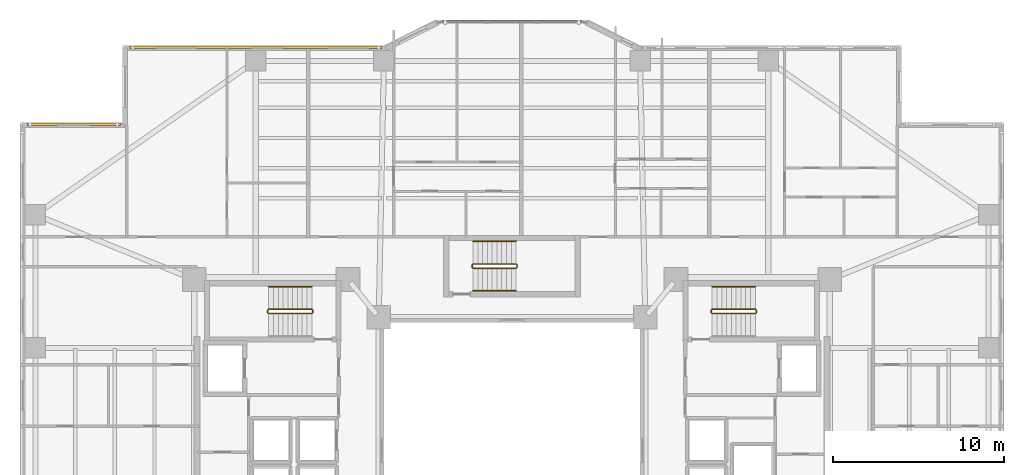
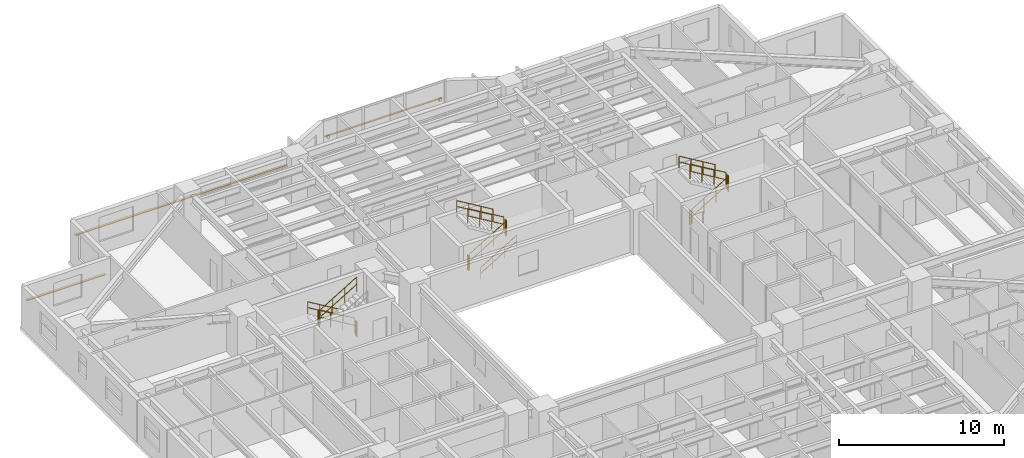
# One storey, part 21 of 22: 16 railings, 3 shading devices.
"""IFC4 building model written with IfcOpenShell, lengths in metres."""

import ifcopenshell
import ifcopenshell.guid

model = None  # the IFC model being written
_history = None  # IfcOwnerHistory: only IFC2X3 demands one
_inside = {}  # id of a spatial element -> (the spatial element, [elements in it])
_under = {}  # id of a project, library or spatial element -> (it, [spatial elements below it])
_declared = {}  # id of a project -> (the project, [libraries it declares])
_typed = {}  # id of a type object -> (the type object, [elements of that type])
_made_of = {}  # id of a material, layer set ... -> (it, [elements and type objects made of it])


def new_model(schema):
    """Start an empty IFC model of exactly this schema.

    Asked for "IFC4X3", IfcOpenShell would pick the latest addendum, in which some entities
    have other attributes; the version numbers below select the first issue.
    IFC2X3 requires an IfcOwnerHistory on every rooted entity: one is made here for all.
    """
    global model, _history
    if schema == "IFC4X3":
        model = ifcopenshell.file(schema_version=(4, 3, 0, 0))
    else:
        model = ifcopenshell.file(schema=schema)
    _inside.clear()
    _under.clear()
    _declared.clear()
    _typed.clear()
    _made_of.clear()
    _history = None
    if model.schema == "IFC2X3":
        org = make("IfcOrganization", Name="unknown")
        user = make(
            "IfcPersonAndOrganization",
            ThePerson=make("IfcPerson", FamilyName="unknown"),
            TheOrganization=org,
        )
        app = make(
            "IfcApplication",
            ApplicationDeveloper=org,
            Version="unknown",
            ApplicationFullName="unknown",
            ApplicationIdentifier="unknown",
        )
        _history = make(
            "IfcOwnerHistory",
            OwningUser=user,
            OwningApplication=app,
            ChangeAction="ADDED",
            CreationDate=0,
        )
    return model


def make(cls, **values):
    """One entity of the class cls with the attributes given. An attribute that is None is left unset."""
    return model.create_entity(
        cls, **{name: value for name, value in values.items() if value is not None}
    )


def rooted(cls, **values):
    """An entity with a GlobalId (a new one), such as an element, a storey or a relation."""
    return make(cls, GlobalId=ifcopenshell.guid.new(), OwnerHistory=_history, **values)


def si_unit(unit_type, name, prefix=None):
    """IfcSIUnit, for example si_unit("LENGTHUNIT", "METRE", prefix="MILLI")."""
    return make("IfcSIUnit", UnitType=unit_type, Prefix=prefix, Name=name)


def assignment(units):
    """IfcUnitAssignment: the units of a project."""
    return None if units is None else make("IfcUnitAssignment", Units=units)


def point(xyz):
    """IfcCartesianPoint."""
    return None if xyz is None else make("IfcCartesianPoint", Coordinates=xyz)


def direction(xyz):
    """IfcDirection."""
    return None if xyz is None else make("IfcDirection", DirectionRatios=xyz)


def frame(location, z_axis=None, x_axis=None):
    """IfcAxis2Placement3D, a coordinate frame: its origin and axes. An axis left out is left unset."""
    return make(
        "IfcAxis2Placement3D",
        Location=point(location),
        Axis=direction(z_axis),
        RefDirection=direction(x_axis),
    )


def frame_2d(location, x_axis=None):
    """IfcAxis2Placement2D, a coordinate frame in the plane: its origin and x axis."""
    return make(
        "IfcAxis2Placement2D", Location=point(location), RefDirection=direction(x_axis)
    )


def origin():
    """The frame at (0, 0, 0) with its axes left unset."""
    return frame((0.0, 0.0, 0.0))


def origin_2d():
    """The frame at (0, 0) in the plane with its x axis left unset."""
    return frame_2d((0.0, 0.0))


def place(relative_to, where):
    """IfcLocalPlacement: puts the frame where relative to a parent placement (None: the world)."""
    return make(
        "IfcLocalPlacement", PlacementRelTo=relative_to, RelativePlacement=where
    )


def context(
    kind, dimensions, precision=None, world=None, true_north=None, identifier=None
):
    """IfcGeometricRepresentationContext, for example the 3D "Model" context."""
    return make(
        "IfcGeometricRepresentationContext",
        ContextIdentifier=identifier,
        ContextType=kind,
        CoordinateSpaceDimension=dimensions,
        Precision=precision,
        WorldCoordinateSystem=world,
        TrueNorth=true_north,
    )


def subcontext(parent, identifier, kind, view, scale=None):
    """IfcGeometricRepresentationSubContext, for example "Body" below "Model"."""
    return make(
        "IfcGeometricRepresentationSubContext",
        ContextIdentifier=identifier,
        ContextType=kind,
        ParentContext=parent,
        TargetScale=scale,
        TargetView=view,
    )


def project(units=None, contexts=None):
    """IfcProject with its units and contexts."""
    return rooted(
        "IfcProject",
        Name="project",
        RepresentationContexts=contexts,
        UnitsInContext=assignment(units),
    )


def spatial(cls, under=None, at=None, **own):
    """A site, building, storey or space (cls), placed at a placement, below another one or the project."""
    s = rooted(cls, ObjectPlacement=at, **own)
    if under is not None:
        _under.setdefault(under.id(), (under, []))[1].append(s)
    return s


def profile(cls, at=None, kind="AREA", **sizes):
    """A parametric profile (cls). Its sizes go by their IFC names, for example OverallWidth=200.0."""
    return make(cls, ProfileType=kind, Position=at, **sizes)


def rectangle(**sizes):
    """IfcRectangleProfileDef."""
    return profile("IfcRectangleProfileDef", **sizes)


def circle(**sizes):
    """IfcCircleProfileDef."""
    return profile("IfcCircleProfileDef", **sizes)


def extrude(swept, where, along, depth):
    """IfcExtrudedAreaSolid: the profile swept, set in the frame where, extruded along a direction by depth."""
    return make(
        "IfcExtrudedAreaSolid",
        SweptArea=swept,
        Position=where,
        ExtrudedDirection=direction(along),
        Depth=depth,
    )


def shape(context_of_items, identifier, shape_type, items):
    """IfcShapeRepresentation: the items that make up one representation, for example the "Body"."""
    return make(
        "IfcShapeRepresentation",
        ContextOfItems=context_of_items,
        RepresentationIdentifier=identifier,
        RepresentationType=shape_type,
        Items=items,
    )


def material(Name=None, Category=None):
    """IfcMaterial."""
    return make("IfcMaterial", Name=Name, Category=Category)


def material_profile(
    of_material, cross_section, Name=None, Category=None, Priority=None
):
    """IfcMaterialProfile: a cross section and its material."""
    return make(
        "IfcMaterialProfile",
        Name=Name,
        Material=of_material,
        Profile=cross_section,
        Priority=Priority,
        Category=Category,
    )


def profile_set(profiles, Name=None, composite=None):
    """IfcMaterialProfileSet."""
    return make(
        "IfcMaterialProfileSet",
        Name=Name,
        MaterialProfiles=profiles,
        CompositeProfile=composite,
    )


def made_of(thing, what):
    """Note that an element or type object is made of a material, layer set ...; save() writes the relation."""
    if what is not None:
        _made_of.setdefault(what.id(), (what, []))[1].append(thing)
    return thing


def type_object(cls, material=None, **own):
    """A type object (cls), such as IfcWallType, which elements share."""
    return made_of(rooted(cls, **own), material)


def element(
    cls,
    number,
    at=None,
    inside=None,
    cuts=None,
    type_object=None,
    material=None,
    context=None,
    identifier="Body",
    shape_type=None,
    held_by="IfcProductDefinitionShape",
    body=None,
    shapes=None,
    **own,
):
    """One element of the class cls, such as IfcWall. Its Tag is "e" and its number.

    at: its placement. inside: the storey or other place that contains it. cuts: it is an
    opening in that element (IfcRelVoidsElement). A single representation is given by context,
    identifier, shape_type and body (its items); several are given by shapes. held_by: the class
    of the entity that holds the representations. save() writes the other relations.
    """
    e = rooted(cls, Tag="e%d" % number, ObjectPlacement=at, **own)
    if body is not None:
        shapes = [shape(context, identifier, shape_type, body)]
    if shapes is not None:
        e.Representation = make(held_by, Representations=shapes)
    if inside is not None:
        _inside.setdefault(inside.id(), (inside, []))[1].append(e)
    if cuts is not None:
        rooted(
            "IfcRelVoidsElement", RelatingBuildingElement=cuts, RelatedOpeningElement=e
        )
    if type_object is not None:
        _typed.setdefault(type_object.id(), (type_object, []))[1].append(e)
    return made_of(e, material)


def aggregate(whole, parts):
    """IfcRelAggregates: a whole, such as a stair, and the parts it consists of."""
    return rooted("IfcRelAggregates", RelatingObject=whole, RelatedObjects=parts)


def save(model, path):
    """Write the relations noted so far, then the file.

    IfcRelAggregates (storeys below a building ...), IfcRelContainedInSpatialStructure (elements
    in a storey), IfcRelDefinesByType, IfcRelAssociatesMaterial and IfcRelDeclares: one each for
    every whole, place, type object, material and project.
    """
    for whole, parts in _under.values():
        aggregate(whole, parts)
    for where, things in _inside.values():
        rooted(
            "IfcRelContainedInSpatialStructure",
            RelatedElements=things,
            RelatingStructure=where,
        )
    for kind, things in _typed.values():
        rooted("IfcRelDefinesByType", RelatedObjects=things, RelatingType=kind)
    for what, things in _made_of.values():
        rooted("IfcRelAssociatesMaterial", RelatedObjects=things, RelatingMaterial=what)
    for by, libraries in _declared.values():
        rooted("IfcRelDeclares", RelatingContext=by, RelatedDefinitions=libraries)
    model.write(path)


model = new_model("IFC4")

# Units and contexts
model_context = context("Model", 3, precision=1e-05, world=origin(), true_north=direction((0.0, 1.0)))
body_context = subcontext(model_context, "Body", "Model", "MODEL_VIEW")
ifc_project = project(units=[si_unit("LENGTHUNIT", "METRE"), si_unit("AREAUNIT", "SQUARE_METRE"), si_unit("VOLUMEUNIT", "CUBIC_METRE"), si_unit("PLANEANGLEUNIT", "RADIAN"), si_unit("MASSUNIT", "GRAM", prefix="KILO")], contexts=[model_context])

# Site, building, storey
site_placement = place(None, origin())
site = spatial("IfcSite", under=ifc_project, at=site_placement, CompositionType="ELEMENT")
building_placement = place(site_placement, origin())
building = spatial("IfcBuilding", under=site, at=building_placement, Name="Tarnavaz Court Tower", CompositionType="ELEMENT")
storey_placement = place(building_placement, frame((0.0, 0.0, 27.35009765625)))
storey = spatial("IfcBuildingStorey", under=building, at=storey_placement, Name="L06", CompositionType="ELEMENT", Elevation=27.35009765625)

# Railings
ifc_material_1 = material(Name="Brushed Stainless Steel", Category="steel")
railing_type_1 = type_object("IfcRailingType", Name="RL-HANDRAIL-900", PredefinedType="HANDRAIL", material=ifc_material_1)
railing_1_placement = place(storey_placement, frame((-11.719970703125, 9.590087890625, 0.16748046875)))
element("IfcRailing", 1, at=railing_1_placement, inside=storey, type_object=railing_type_1, Name="L06 ST-W1 stair handrail 1", PredefinedType="HANDRAIL", context=body_context, shape_type="SweptSolid", body=[
    extrude(circle(Radius=0.02392578125, at=origin_2d()), frame((0.0, 0.0, 0.8759765625), z_axis=(-0.858196387827, 0.0, 0.513321497621), x_axis=(0.0, -1.0, 0.0)), (0.0, 0.0, 1.0), 2.9365234375),
    extrude(circle(Radius=0.02392578125, at=origin_2d()), frame((0.0, 0.0, 0.449951171875), z_axis=(-0.858196387827, 0.0, 0.513321497621), x_axis=(0.0, -1.0, 0.0)), (0.0, 0.0, 1.0), 2.9365234375),
    extrude(circle(Radius=0.02099609375, at=origin_2d()), origin(), (0.0, 0.0, 1.0), 0.851806640625),
    extrude(circle(Radius=0.02099609375, at=origin_2d()), frame((-0.840087890625, 0.0, 0.50244140625)), (0.0, 0.0, 1.0), 0.851806640625),
    extrude(circle(Radius=0.02099609375, at=origin_2d()), frame((-1.679931640625, 0.0, 1.0048828125)), (0.0, 0.0, 1.0), 0.851806640625),
    extrude(circle(Radius=0.02099609375, at=origin_2d()), frame((-2.52001953125, 0.0, 1.50732421875)), (0.0, 0.0, 1.0), 0.851806640625),
])
railing_2_placement = place(storey_placement, frame((14.239990234375, 9.590087890625, 1.84228515625)))
element("IfcRailing", 2, at=railing_2_placement, inside=storey, type_object=railing_type_1, Name="L06 ST-E1 stair handrail 2", PredefinedType="HANDRAIL", context=body_context, shape_type="SweptSolid", body=[
    extrude(circle(Radius=0.02392578125, at=origin_2d()), frame((0.0, 0.0, 0.8759765625), z_axis=(-0.858159760407, 0.0, 0.513382728203), x_axis=(0.0, -1.0, 0.0)), (0.0, 0.0, 1.0), 2.9365234375),
    extrude(circle(Radius=0.02392578125, at=origin_2d()), frame((0.0, 0.0, 0.449951171875), z_axis=(-0.858159760407, 0.0, 0.513382728203), x_axis=(0.0, -1.0, 0.0)), (0.0, 0.0, 1.0), 2.9365234375),
    extrude(circle(Radius=0.02099609375, at=origin_2d()), origin(), (0.0, 0.0, 1.0), 0.851806640625),
    extrude(circle(Radius=0.02099609375, at=origin_2d()), frame((-0.840087890625, 0.0, 0.50244140625)), (0.0, 0.0, 1.0), 0.851806640625),
    extrude(circle(Radius=0.02099609375, at=origin_2d()), frame((-1.679931640625, 0.0, 1.005126953125)), (0.0, 0.0, 1.0), 0.851806640625),
    extrude(circle(Radius=0.02099609375, at=origin_2d()), frame((-2.52001953125, 0.0, 1.507568359375)), (0.0, 0.0, 1.0), 0.851806640625),
])
railing_3_placement = place(storey_placement, frame((-2.280029296875, 9.35009765625, 0.16748046875)))
element("IfcRailing", 3, at=railing_3_placement, inside=storey, type_object=railing_type_1, Name="L06 ST-N1 stair handrail 1", PredefinedType="HANDRAIL", context=body_context, shape_type="SweptSolid", body=[
    extrude(circle(Radius=0.02392578125, at=origin_2d()), frame((0.0, 0.0, 0.8759765625), z_axis=(0.858196387827, 0.0, 0.513321497621), x_axis=(0.0, 1.0, 0.0)), (0.0, 0.0, 1.0), 2.9365234375),
    extrude(circle(Radius=0.02392578125, at=origin_2d()), frame((0.0, 0.0, 0.449951171875), z_axis=(0.858196387827, 0.0, 0.513321497621), x_axis=(0.0, 1.0, 0.0)), (0.0, 0.0, 1.0), 2.9365234375),
    extrude(circle(Radius=0.02099609375, at=origin_2d()), origin(), (0.0, 0.0, 1.0), 0.851806640625),
    extrude(circle(Radius=0.02099609375, at=origin_2d()), frame((0.840087890625, 0.0, 0.50244140625)), (0.0, 0.0, 1.0), 0.851806640625),
    extrude(circle(Radius=0.02099609375, at=origin_2d()), frame((1.679931640625, 0.0, 1.0048828125)), (0.0, 0.0, 1.0), 0.851806640625),
    extrude(circle(Radius=0.02099609375, at=origin_2d()), frame((2.52001953125, 0.0, 1.50732421875)), (0.0, 0.0, 1.0), 0.851806640625),
])
railing_4_placement = place(storey_placement, frame((0.239990234375, 12.239990234375, 1.84228515625)))
element("IfcRailing", 4, at=railing_4_placement, inside=storey, type_object=railing_type_1, Name="L06 ST-N1 stair handrail 2", PredefinedType="HANDRAIL", context=body_context, shape_type="SweptSolid", body=[
    extrude(circle(Radius=0.02392578125, at=origin_2d()), frame((0.0, 0.0, 0.8759765625), z_axis=(-0.858159760407, 0.0, 0.513382728203), x_axis=(0.0, -1.0, 0.0)), (0.0, 0.0, 1.0), 2.9365234375),
    extrude(circle(Radius=0.02392578125, at=origin_2d()), frame((0.0, 0.0, 0.449951171875), z_axis=(-0.858159760407, 0.0, 0.513382728203), x_axis=(0.0, -1.0, 0.0)), (0.0, 0.0, 1.0), 2.9365234375),
    extrude(circle(Radius=0.02099609375, at=origin_2d()), origin(), (0.0, 0.0, 1.0), 0.851806640625),
    extrude(circle(Radius=0.02099609375, at=origin_2d()), frame((-0.840087890625, 0.0, 0.50244140625)), (0.0, 0.0, 1.0), 0.851806640625),
    extrude(circle(Radius=0.02099609375, at=origin_2d()), frame((-1.679931640625, 0.0, 1.005126953125)), (0.0, 0.0, 1.0), 0.851806640625),
    extrude(circle(Radius=0.02099609375, at=origin_2d()), frame((-2.52001953125, 0.0, 1.507568359375)), (0.0, 0.0, 1.0), 0.851806640625),
])
ifc_material_2 = material(Name="Galvanized Painted Tubular Steel", Category="steel")
railing_type_2 = type_object("IfcRailingType", Name="RL-STGUARD-1120", PredefinedType="GUARDRAIL", material=ifc_material_2)
railing_5_placement = place(storey_placement, frame((-11.719970703125, 8.27001953125, 0.16748046875)))
element("IfcRailing", 5, at=railing_5_placement, inside=storey, type_object=railing_type_2, Name="L06 ST-W1 stair guard 1", PredefinedType="GUARDRAIL", context=body_context, shape_type="SweptSolid", body=[
    extrude(circle(Radius=0.02392578125, at=origin_2d()), frame((0.0, 0.0, 1.09619140625), z_axis=(-0.858196387827, 0.0, 0.513321497621), x_axis=(0.0, -1.0, 0.0)), (0.0, 0.0, 1.0), 2.9365234375),
    extrude(circle(Radius=0.02392578125, at=origin_2d()), frame((0.0, 0.0, 0.56005859375), z_axis=(-0.858196387827, 0.0, 0.513321497621), x_axis=(0.0, -1.0, 0.0)), (0.0, 0.0, 1.0), 2.9365234375),
    extrude(circle(Radius=0.02099609375, at=origin_2d()), origin(), (0.0, 0.0, 1.0), 1.072021484375),
    extrude(circle(Radius=0.02099609375, at=origin_2d()), frame((-0.840087890625, 0.0, 0.50244140625)), (0.0, 0.0, 1.0), 1.072021484375),
    extrude(circle(Radius=0.02099609375, at=origin_2d()), frame((-1.679931640625, 0.0, 1.0048828125)), (0.0, 0.0, 1.0), 1.072021484375),
    extrude(circle(Radius=0.02099609375, at=origin_2d()), frame((-2.52001953125, 0.0, 1.50732421875)), (0.0, 0.0, 1.0), 1.072021484375),
])
railing_6_placement = place(storey_placement, frame((-14.2900390625, 8.219970703125, 1.6748046875)))
element("IfcRailing", 6, at=railing_6_placement, inside=storey, type_object=railing_type_2, Name="L06 ST-W1 stair guard 2", PredefinedType="GUARDRAIL", context=body_context, shape_type="SweptSolid", body=[
    extrude(circle(Radius=0.02392578125, at=origin_2d()), frame((0.0, 0.0, 1.09619140625), z_axis=(0.0, -1.0, 0.0), x_axis=(1.0, 0.0, 0.0)), (0.0, 0.0, 1.0), 0.14990234375),
    extrude(circle(Radius=0.02392578125, at=origin_2d()), frame((0.0, 0.0, 0.56005859375), z_axis=(0.0, -1.0, 0.0), x_axis=(1.0, 0.0, 0.0)), (0.0, 0.0, 1.0), 0.14990234375),
    extrude(circle(Radius=0.02099609375, at=origin_2d()), origin(), (0.0, 0.0, 1.0), 1.072021484375),
    extrude(circle(Radius=0.02099609375, at=origin_2d()), frame((0.0, -0.14990234375, 0.0)), (0.0, 0.0, 1.0), 1.072021484375),
])
railing_7_placement = place(storey_placement, frame((-14.239990234375, 8.02001953125, 1.84228515625)))
element("IfcRailing", 7, at=railing_7_placement, inside=storey, type_object=railing_type_2, Name="L06 ST-W1 stair guard 3", PredefinedType="GUARDRAIL", context=body_context, shape_type="SweptSolid", body=[
    extrude(circle(Radius=0.02392578125, at=origin_2d()), frame((0.0, 0.0, 1.09619140625), z_axis=(0.858159760407, 0.0, 0.513382728203), x_axis=(0.0, 1.0, 0.0)), (0.0, 0.0, 1.0), 2.9365234375),
    extrude(circle(Radius=0.02392578125, at=origin_2d()), frame((0.0, 0.0, 0.56005859375), z_axis=(0.858159760407, 0.0, 0.513382728203), x_axis=(0.0, 1.0, 0.0)), (0.0, 0.0, 1.0), 2.9365234375),
    extrude(circle(Radius=0.02099609375, at=origin_2d()), origin(), (0.0, 0.0, 1.0), 1.072021484375),
    extrude(circle(Radius=0.02099609375, at=origin_2d()), frame((0.840087890625, 0.0, 0.50244140625)), (0.0, 0.0, 1.0), 1.072021484375),
    extrude(circle(Radius=0.02099609375, at=origin_2d()), frame((1.679931640625, 0.0, 1.005126953125)), (0.0, 0.0, 1.0), 1.072021484375),
    extrude(circle(Radius=0.02099609375, at=origin_2d()), frame((2.52001953125, 0.0, 1.507568359375)), (0.0, 0.0, 1.0), 1.072021484375),
])
railing_8_placement = place(storey_placement, frame((-11.669921875, 8.219970703125, 0.0)))
element("IfcRailing", 8, at=railing_8_placement, inside=storey, type_object=railing_type_2, Name="L06 ST-W1 stair guard 4", PredefinedType="GUARDRAIL", context=body_context, shape_type="SweptSolid", body=[
    extrude(circle(Radius=0.02392578125, at=origin_2d()), frame((0.0, 0.0, 1.09619140625), z_axis=(0.0, -1.0, 0.0), x_axis=(1.0, 0.0, 0.0)), (0.0, 0.0, 1.0), 0.14990234375),
    extrude(circle(Radius=0.02392578125, at=origin_2d()), frame((0.0, 0.0, 0.56005859375), z_axis=(0.0, -1.0, 0.0), x_axis=(1.0, 0.0, 0.0)), (0.0, 0.0, 1.0), 0.14990234375),
    extrude(circle(Radius=0.02099609375, at=origin_2d()), origin(), (0.0, 0.0, 1.0), 1.072021484375),
    extrude(circle(Radius=0.02099609375, at=origin_2d()), frame((0.0, -0.14990234375, 0.0)), (0.0, 0.0, 1.0), 1.072021484375),
])
railing_9_placement = place(storey_placement, frame((11.719970703125, 8.02001953125, 0.16748046875)))
element("IfcRailing", 9, at=railing_9_placement, inside=storey, type_object=railing_type_2, Name="L06 ST-E1 stair guard 1", PredefinedType="GUARDRAIL", context=body_context, shape_type="SweptSolid", body=[
    extrude(circle(Radius=0.02392578125, at=origin_2d()), frame((0.0, 0.0, 1.09619140625), z_axis=(0.858196387827, 0.0, 0.513321497621), x_axis=(0.0, 1.0, 0.0)), (0.0, 0.0, 1.0), 2.9365234375),
    extrude(circle(Radius=0.02392578125, at=origin_2d()), frame((0.0, 0.0, 0.56005859375), z_axis=(0.858196387827, 0.0, 0.513321497621), x_axis=(0.0, 1.0, 0.0)), (0.0, 0.0, 1.0), 2.9365234375),
    extrude(circle(Radius=0.02099609375, at=origin_2d()), origin(), (0.0, 0.0, 1.0), 1.072021484375),
    extrude(circle(Radius=0.02099609375, at=origin_2d()), frame((0.840087890625, 0.0, 0.50244140625)), (0.0, 0.0, 1.0), 1.072021484375),
    extrude(circle(Radius=0.02099609375, at=origin_2d()), frame((1.679931640625, 0.0, 1.0048828125)), (0.0, 0.0, 1.0), 1.072021484375),
    extrude(circle(Radius=0.02099609375, at=origin_2d()), frame((2.52001953125, 0.0, 1.50732421875)), (0.0, 0.0, 1.0), 1.072021484375),
])
railing_10_placement = place(storey_placement, frame((14.2900390625, 8.070068359375, 1.6748046875)))
element("IfcRailing", 10, at=railing_10_placement, inside=storey, type_object=railing_type_2, Name="L06 ST-E1 stair guard 2", PredefinedType="GUARDRAIL", context=body_context, shape_type="SweptSolid", body=[
    extrude(circle(Radius=0.02392578125, at=origin_2d()), frame((0.0, 0.0, 1.09619140625), z_axis=(0.0, 1.0, 0.0), x_axis=(-1.0, 0.0, 0.0)), (0.0, 0.0, 1.0), 0.14990234375),
    extrude(circle(Radius=0.02392578125, at=origin_2d()), frame((0.0, 0.0, 0.56005859375), z_axis=(0.0, 1.0, 0.0), x_axis=(-1.0, 0.0, 0.0)), (0.0, 0.0, 1.0), 0.14990234375),
    extrude(circle(Radius=0.02099609375, at=origin_2d()), origin(), (0.0, 0.0, 1.0), 1.072021484375),
    extrude(circle(Radius=0.02099609375, at=origin_2d()), frame((0.0, 0.14990234375, 0.0)), (0.0, 0.0, 1.0), 1.072021484375),
])
railing_11_placement = place(storey_placement, frame((14.239990234375, 8.27001953125, 1.84228515625)))
element("IfcRailing", 11, at=railing_11_placement, inside=storey, type_object=railing_type_2, Name="L06 ST-E1 stair guard 3", PredefinedType="GUARDRAIL", context=body_context, shape_type="SweptSolid", body=[
    extrude(circle(Radius=0.02392578125, at=origin_2d()), frame((0.0, 0.0, 1.09619140625), z_axis=(-0.858159760407, 0.0, 0.513382728203), x_axis=(0.0, -1.0, 0.0)), (0.0, 0.0, 1.0), 2.9365234375),
    extrude(circle(Radius=0.02392578125, at=origin_2d()), frame((0.0, 0.0, 0.56005859375), z_axis=(-0.858159760407, 0.0, 0.513382728203), x_axis=(0.0, -1.0, 0.0)), (0.0, 0.0, 1.0), 2.9365234375),
    extrude(circle(Radius=0.02099609375, at=origin_2d()), origin(), (0.0, 0.0, 1.0), 1.072021484375),
    extrude(circle(Radius=0.02099609375, at=origin_2d()), frame((-0.840087890625, 0.0, 0.50244140625)), (0.0, 0.0, 1.0), 1.072021484375),
    extrude(circle(Radius=0.02099609375, at=origin_2d()), frame((-1.679931640625, 0.0, 1.005126953125)), (0.0, 0.0, 1.0), 1.072021484375),
    extrude(circle(Radius=0.02099609375, at=origin_2d()), frame((-2.52001953125, 0.0, 1.507568359375)), (0.0, 0.0, 1.0), 1.072021484375),
])
railing_12_placement = place(storey_placement, frame((11.669921875, 8.070068359375, 0.0)))
element("IfcRailing", 12, at=railing_12_placement, inside=storey, type_object=railing_type_2, Name="L06 ST-E1 stair guard 4", PredefinedType="GUARDRAIL", context=body_context, shape_type="SweptSolid", body=[
    extrude(circle(Radius=0.02392578125, at=origin_2d()), frame((0.0, 0.0, 1.09619140625), z_axis=(0.0, 1.0, 0.0), x_axis=(-1.0, 0.0, 0.0)), (0.0, 0.0, 1.0), 0.14990234375),
    extrude(circle(Radius=0.02392578125, at=origin_2d()), frame((0.0, 0.0, 0.56005859375), z_axis=(0.0, 1.0, 0.0), x_axis=(-1.0, 0.0, 0.0)), (0.0, 0.0, 1.0), 0.14990234375),
    extrude(circle(Radius=0.02099609375, at=origin_2d()), origin(), (0.0, 0.0, 1.0), 1.072021484375),
    extrude(circle(Radius=0.02099609375, at=origin_2d()), frame((0.0, 0.14990234375, 0.0)), (0.0, 0.0, 1.0), 1.072021484375),
])
railing_13_placement = place(storey_placement, frame((-2.280029296875, 10.669921875, 0.16748046875)))
element("IfcRailing", 13, at=railing_13_placement, inside=storey, type_object=railing_type_2, Name="L06 ST-N1 stair guard 1", PredefinedType="GUARDRAIL", context=body_context, shape_type="SweptSolid", body=[
    extrude(circle(Radius=0.02392578125, at=origin_2d()), frame((0.0, 0.0, 1.09619140625), z_axis=(0.858196387827, 0.0, 0.513321497621), x_axis=(0.0, 1.0, 0.0)), (0.0, 0.0, 1.0), 2.9365234375),
    extrude(circle(Radius=0.02392578125, at=origin_2d()), frame((0.0, 0.0, 0.56005859375), z_axis=(0.858196387827, 0.0, 0.513321497621), x_axis=(0.0, 1.0, 0.0)), (0.0, 0.0, 1.0), 2.9365234375),
    extrude(circle(Radius=0.02099609375, at=origin_2d()), origin(), (0.0, 0.0, 1.0), 1.072021484375),
    extrude(circle(Radius=0.02099609375, at=origin_2d()), frame((0.840087890625, 0.0, 0.50244140625)), (0.0, 0.0, 1.0), 1.072021484375),
    extrude(circle(Radius=0.02099609375, at=origin_2d()), frame((1.679931640625, 0.0, 1.0048828125)), (0.0, 0.0, 1.0), 1.072021484375),
    extrude(circle(Radius=0.02099609375, at=origin_2d()), frame((2.52001953125, 0.0, 1.50732421875)), (0.0, 0.0, 1.0), 1.072021484375),
])
railing_14_placement = place(storey_placement, frame((0.2900390625, 10.719970703125, 1.6748046875)))
element("IfcRailing", 14, at=railing_14_placement, inside=storey, type_object=railing_type_2, Name="L06 ST-N1 stair guard 2", PredefinedType="GUARDRAIL", context=body_context, shape_type="SweptSolid", body=[
    extrude(circle(Radius=0.02392578125, at=origin_2d()), frame((0.0, 0.0, 1.09619140625), z_axis=(0.0, 1.0, 0.0), x_axis=(-1.0, 0.0, 0.0)), (0.0, 0.0, 1.0), 0.150146484375),
    extrude(circle(Radius=0.02392578125, at=origin_2d()), frame((0.0, 0.0, 0.56005859375), z_axis=(0.0, 1.0, 0.0), x_axis=(-1.0, 0.0, 0.0)), (0.0, 0.0, 1.0), 0.150146484375),
    extrude(circle(Radius=0.02099609375, at=origin_2d()), origin(), (0.0, 0.0, 1.0), 1.072021484375),
    extrude(circle(Radius=0.02099609375, at=origin_2d()), frame((0.0, 0.150146484375, 0.0)), (0.0, 0.0, 1.0), 1.072021484375),
])
railing_15_placement = place(storey_placement, frame((0.239990234375, 10.919921875, 1.84228515625)))
element("IfcRailing", 15, at=railing_15_placement, inside=storey, type_object=railing_type_2, Name="L06 ST-N1 stair guard 3", PredefinedType="GUARDRAIL", context=body_context, shape_type="SweptSolid", body=[
    extrude(circle(Radius=0.02392578125, at=origin_2d()), frame((0.0, 0.0, 1.09619140625), z_axis=(-0.858159760407, 0.0, 0.513382728203), x_axis=(0.0, -1.0, 0.0)), (0.0, 0.0, 1.0), 2.9365234375),
    extrude(circle(Radius=0.02392578125, at=origin_2d()), frame((0.0, 0.0, 0.56005859375), z_axis=(-0.858159760407, 0.0, 0.513382728203), x_axis=(0.0, -1.0, 0.0)), (0.0, 0.0, 1.0), 2.9365234375),
    extrude(circle(Radius=0.02099609375, at=origin_2d()), origin(), (0.0, 0.0, 1.0), 1.072021484375),
    extrude(circle(Radius=0.02099609375, at=origin_2d()), frame((-0.840087890625, 0.0, 0.50244140625)), (0.0, 0.0, 1.0), 1.072021484375),
    extrude(circle(Radius=0.02099609375, at=origin_2d()), frame((-1.679931640625, 0.0, 1.005126953125)), (0.0, 0.0, 1.0), 1.072021484375),
    extrude(circle(Radius=0.02099609375, at=origin_2d()), frame((-2.52001953125, 0.0, 1.507568359375)), (0.0, 0.0, 1.0), 1.072021484375),
])
railing_16_placement = place(storey_placement, frame((-2.330078125, 10.719970703125, 0.0)))
element("IfcRailing", 16, at=railing_16_placement, inside=storey, type_object=railing_type_2, Name="L06 ST-N1 stair guard 4", PredefinedType="GUARDRAIL", context=body_context, shape_type="SweptSolid", body=[
    extrude(circle(Radius=0.02392578125, at=origin_2d()), frame((0.0, 0.0, 1.09619140625), z_axis=(0.0, 1.0, 0.0), x_axis=(-1.0, 0.0, 0.0)), (0.0, 0.0, 1.0), 0.150146484375),
    extrude(circle(Radius=0.02392578125, at=origin_2d()), frame((0.0, 0.0, 0.56005859375), z_axis=(0.0, 1.0, 0.0), x_axis=(-1.0, 0.0, 0.0)), (0.0, 0.0, 1.0), 0.150146484375),
    extrude(circle(Radius=0.02099609375, at=origin_2d()), origin(), (0.0, 0.0, 1.0), 1.072021484375),
    extrude(circle(Radius=0.02099609375, at=origin_2d()), frame((0.0, 0.150146484375, 0.0)), (0.0, 0.0, 1.0), 1.072021484375),
])

# Shading devices
ifc_material_3 = material(Name="Kiln-Fired Khorasan Terracotta Ceramic", Category="masonry")
ifc_material_profile_1 = material_profile(ifc_material_3, rectangle(XDim=0.1201171875, YDim=0.06005859375, at=origin_2d()), Name="TC BAGUETTE 120X60")
ifc_profile_set_1 = profile_set([ifc_material_profile_1], Name="Kiln-Fired Khorasan Terracotta Ceramic")
shading_device_type_1 = type_object("IfcShadingDeviceType", Name="SD-BAG-120", PredefinedType="USERDEFINED", material=ifc_profile_set_1)
shading_device_1_placement = place(storey_placement, frame((-4.10009765625, 25.110107421875, 1.7998046875), z_axis=(1.0, 0.0, 0.0), x_axis=(0.0, 1.0, 0.0)))
element("IfcShadingDevice", 17, at=shading_device_1_placement, inside=storey, type_object=shading_device_type_1, Name="L06 Terracotta Baguette Screen PBG7", ObjectType="BAGUETTE", PredefinedType="USERDEFINED", context=body_context, shape_type="SweptSolid", body=[
    extrude(rectangle(XDim=0.1201171875, YDim=0.06005859375, at=origin_2d()), origin(), (0.0, 0.0, 1.0), 8.2001953125),
])
ifc_material_profile_2 = material_profile(ifc_material_3, rectangle(XDim=0.14990234375, YDim=0.06494140625, at=origin_2d()), Name="TC BAGUETTE 150X65")
ifc_profile_set_2 = profile_set([ifc_material_profile_2], Name="Kiln-Fired Khorasan Terracotta Ceramic")
shading_device_type_2 = type_object("IfcShadingDeviceType", Name="SD-BAG-150", PredefinedType="USERDEFINED", material=ifc_profile_set_2)
shading_device_2_placement = place(storey_placement, frame((-28.39990234375, 19.110107421875, 1.849853515625), z_axis=(1.0, 0.0, 0.0), x_axis=(0.0, 1.0, 0.0)))
element("IfcShadingDevice", 18, at=shading_device_2_placement, inside=storey, type_object=shading_device_type_2, Name="L06 Terracotta Baguette Screen FBG03", ObjectType="BAGUETTE", PredefinedType="USERDEFINED", context=body_context, shape_type="SweptSolid", body=[
    extrude(rectangle(XDim=0.14990234375, YDim=0.06494140625, at=origin_2d()), origin(), (0.0, 0.0, 1.0), 5.5),
])
shading_device_3_placement = place(storey_placement, frame((-22.39990234375, 23.610107421875, 1.849853515625), z_axis=(1.0, 0.0, 0.0), x_axis=(0.0, 1.0, 0.0)))
element("IfcShadingDevice", 19, at=shading_device_3_placement, inside=storey, type_object=shading_device_type_2, Name="L06 Terracotta Baguette Screen FBG05", ObjectType="BAGUETTE", PredefinedType="USERDEFINED", context=body_context, shape_type="SweptSolid", body=[
    extrude(rectangle(XDim=0.14990234375, YDim=0.06494140625, at=origin_2d()), origin(), (0.0, 0.0, 1.0), 14.7998046875),
])

save(model, "model.ifc")
